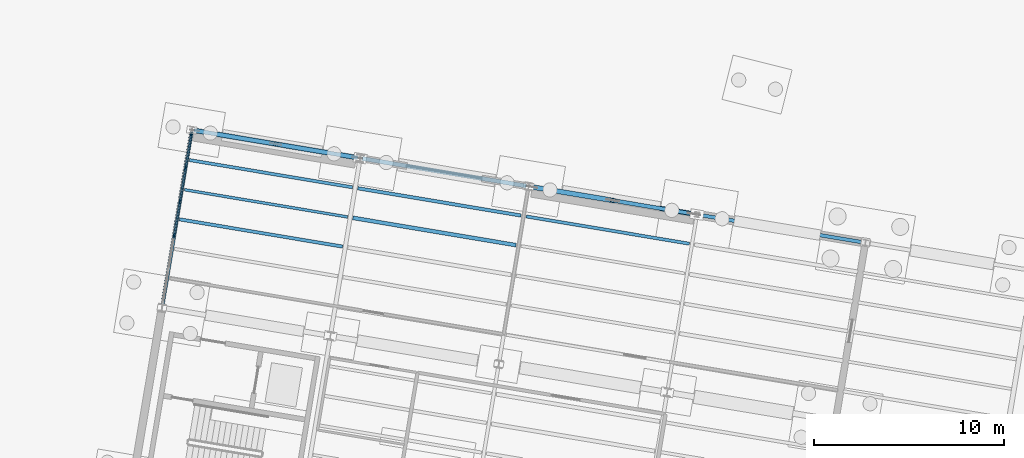
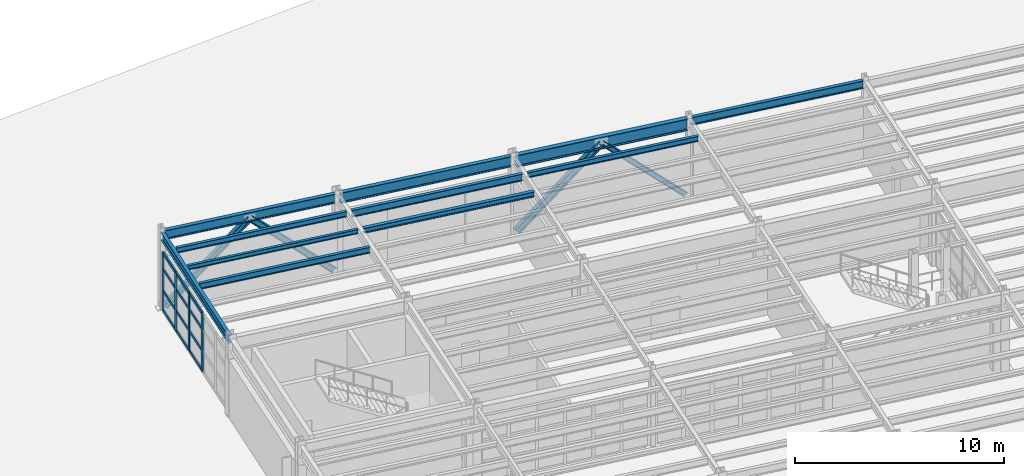
# One storey, part 47 of 108: 20 members, 11 beams, 1 element without a shape of its own.
"""IFC4 building model written with IfcOpenShell, lengths in metres."""

from ifc_helpers import new_model, si_unit, direction, frame, origin, origin_2d, place, context, subcontext, project, spatial, rectangle, i_section, extrude, material, layer, layer_set, material_profile, profile_set, type_object, element, aggregate, save


model = new_model("IFC4")

# Units and contexts
model_context = context("Model", 3, precision=1e-05, world=origin(), true_north=direction((0.0, 1.0)))
body_context = subcontext(model_context, "Body", "Model", "MODEL_VIEW")
ifc_project = project(units=[si_unit("LENGTHUNIT", "METRE"), si_unit("AREAUNIT", "SQUARE_METRE"), si_unit("VOLUMEUNIT", "CUBIC_METRE"), si_unit("PLANEANGLEUNIT", "RADIAN"), si_unit("MASSUNIT", "GRAM", prefix="KILO")], contexts=[model_context])

# Site, building, storey
site_placement = place(None, origin())
site = spatial("IfcSite", under=ifc_project, at=site_placement, CompositionType="ELEMENT")
building_placement = place(site_placement, origin())
building = spatial("IfcBuilding", under=site, at=building_placement, Name="Vireo Bluff Cable Station", CompositionType="ELEMENT")
storey_placement = place(building_placement, origin())
storey = spatial("IfcBuildingStorey", under=building, at=storey_placement, Name="L00", CompositionType="ELEMENT", Elevation=0.0)

# Members
ifc_material_1 = material(Name="Steel ASTM A992 Gr. 50", Category="steel")
ifc_material_profile_1 = material_profile(ifc_material_1, i_section(OverallWidth=0.2041015625, OverallDepth=0.257080078125, WebThickness=0.0087890625, FlangeThickness=0.015625, FilletRadius=0.009033203125, at=origin_2d()), Name="W10X45")
ifc_profile_set_1 = profile_set([ifc_material_profile_1], Name="Steel ASTM A992 Gr. 50")
member_type_1 = type_object("IfcMemberType", Name="BRC-01", PredefinedType="BRACE", material=ifc_profile_set_1)
member_1_placement = place(storey_placement, frame((36.67578125, 95.17919921875, 0.0400390625), z_axis=(-0.713671018406, 0.11942683899, 0.690225258605), x_axis=(-0.165046622801, -0.986285766044, 0.0)))
element("IfcMember", 1, at=member_1_placement, inside=storey, type_object=member_type_1, Name="V4 L00 concentric brace 66R", PredefinedType="BRACE", context=body_context, shape_type="SweptSolid", body=[
    extrude(i_section(OverallWidth=0.2041015625, OverallDepth=0.257080078125, WebThickness=0.0087890625, FlangeThickness=0.015625, FilletRadius=0.009033203125, at=origin_2d()), origin(), (0.0, 0.0, 1.0), 5.997802734375),
])
ifc_material_profile_2 = material_profile(ifc_material_1, i_section(OverallWidth=0.25390625, OverallDepth=0.305908203125, WebThickness=0.0087890625, FlangeThickness=0.0146484375, FilletRadius=0.010986328125, at=origin_2d()), Name="W12X53")
ifc_profile_set_2 = profile_set([ifc_material_profile_2], Name="Steel ASTM A992 Gr. 50")
member_type_2 = type_object("IfcMemberType", Name="BRC-04", PredefinedType="BRACE", material=ifc_profile_set_2)
member_2_placement = place(storey_placement, frame((10.361572265625, 99.582763671875, 0.0400390625), z_axis=(0.713671018406, -0.11942683899, 0.690225258605), x_axis=(0.165046622801, 0.986285766044, 0.0)))
element("IfcMember", 2, at=member_2_placement, inside=storey, type_object=member_type_2, Name="V4 L00 concentric brace 63L", PredefinedType="BRACE", context=body_context, shape_type="SweptSolid", body=[
    extrude(i_section(OverallWidth=0.25390625, OverallDepth=0.305908203125, WebThickness=0.0087890625, FlangeThickness=0.0146484375, FilletRadius=0.010986328125, at=origin_2d()), origin(), (0.0, 0.0, 1.0), 5.997802734375),
])
ifc_material_profile_3 = material_profile(ifc_material_1, i_section(OverallWidth=0.25390625, OverallDepth=0.31005859375, WebThickness=0.009033203125, FlangeThickness=0.016357421875, FilletRadius=0.010986328125, at=origin_2d()), Name="W12X58")
ifc_profile_set_3 = profile_set([ifc_material_profile_3], Name="Steel ASTM A992 Gr. 50")
member_type_3 = type_object("IfcMemberType", Name="BRC-05", PredefinedType="BRACE", material=ifc_profile_set_3)
member_3_placement = place(storey_placement, frame((18.922607421875, 98.150146484375, 0.0400390625), z_axis=(-0.713671018406, 0.11942683899, 0.690225258605), x_axis=(-0.165046622801, -0.986285766044, 0.0)))
element("IfcMember", 3, at=member_3_placement, inside=storey, type_object=member_type_3, Name="V4 L00 concentric brace 64R", PredefinedType="BRACE", context=body_context, shape_type="SweptSolid", body=[
    extrude(i_section(OverallWidth=0.25390625, OverallDepth=0.31005859375, WebThickness=0.009033203125, FlangeThickness=0.016357421875, FilletRadius=0.010986328125, at=origin_2d()), origin(), (0.0, 0.0, 1.0), 5.997802734375),
])
ifc_material_profile_4 = material_profile(ifc_material_1, i_section(OverallWidth=0.25390625, OverallDepth=0.35302734375, WebThickness=0.009521484375, FlangeThickness=0.016357421875, FilletRadius=0.011962890625, at=origin_2d()), Name="W14X61")
ifc_profile_set_4 = profile_set([ifc_material_profile_4], Name="Steel ASTM A992 Gr. 50")
member_type_4 = type_object("IfcMemberType", Name="BRC-06", PredefinedType="BRACE", material=ifc_profile_set_4)
member_4_placement = place(storey_placement, frame((28.11474609375, 96.61181640625, 0.0400390625), z_axis=(0.713671018406, -0.11942683899, 0.690225258605), x_axis=(0.165046622801, 0.986285766044, 0.0)))
element("IfcMember", 4, at=member_4_placement, inside=storey, type_object=member_type_4, Name="V4 L00 concentric brace 65L", PredefinedType="BRACE", context=body_context, shape_type="SweptSolid", body=[
    extrude(i_section(OverallWidth=0.25390625, OverallDepth=0.35302734375, WebThickness=0.009521484375, FlangeThickness=0.016357421875, FilletRadius=0.011962890625, at=origin_2d()), origin(), (0.0, 0.0, 1.0), 5.997802734375),
])

# Curtain wall, members
ifc_material_2 = material(Name="Anodized Aluminium 6063-T6", Category="aluminium")
ifc_layer = layer(ifc_material_2, 0.159912109375, Name="Anodized Aluminium 6063-T6")
ifc_layer_set = layer_set([ifc_layer], Name="Anodized Aluminium 6063-T6")
curtain_wall_type = type_object("IfcCurtainWallType", Name="CW-STICK-1850", PredefinedType="USERDEFINED", material=ifc_layer_set)
curtain_wall_placement = place(storey_placement, origin())
curtain_wall = element("IfcCurtainWall", 5, at=curtain_wall_placement, inside=storey, type_object=curtain_wall_type, Name="V4 L00 west curtain wall CW-083", ObjectType="STICK CURTAIN WALL", PredefinedType="USERDEFINED")
ifc_material_profile_5 = material_profile(ifc_material_2, rectangle(XDim=0.080078125, YDim=0.239990234375, at=origin_2d()), Name="ALU-M-80X240")
ifc_profile_set_5 = profile_set([ifc_material_profile_5], Name="Anodized Aluminium 6063-T6")
member_type_5 = type_object("IfcMemberType", Name="CWM-04", PredefinedType="MULLION", material=ifc_profile_set_5)
member_5_placement = place(storey_placement, frame((9.271240234375, 94.0361328125, 0.0), z_axis=(0.0, 0.0, 1.0), x_axis=(-0.986285605429, 0.165047582605, 0.0)))
member_5 = element("IfcMember", 6, at=member_5_placement, type_object=member_type_5, Name="CW-083 mullion 3", PredefinedType="MULLION", context=body_context, shape_type="SweptSolid", body=[
    extrude(rectangle(XDim=0.080078125, YDim=0.239990234375, at=origin_2d()), origin(), (0.0, 0.0, 1.0), 3.39990234375),
])
member_6_placement = place(storey_placement, frame((9.572265625, 95.835205078125, 0.0), z_axis=(0.0, 0.0, 1.0), x_axis=(-0.986285605429, 0.165047582605, 0.0)))
member_6 = element("IfcMember", 7, at=member_6_placement, type_object=member_type_5, Name="CW-083 mullion 4", PredefinedType="MULLION", context=body_context, shape_type="SweptSolid", body=[
    extrude(rectangle(XDim=0.080078125, YDim=0.239990234375, at=origin_2d()), origin(), (0.0, 0.0, 1.0), 3.39990234375),
])
member_7_placement = place(storey_placement, frame((9.873291015625, 97.634033203125, 0.0), z_axis=(0.0, 0.0, 1.0), x_axis=(-0.986285605429, 0.165047582605, 0.0)))
member_7 = element("IfcMember", 8, at=member_7_placement, type_object=member_type_5, Name="CW-083 mullion 5", PredefinedType="MULLION", context=body_context, shape_type="SweptSolid", body=[
    extrude(rectangle(XDim=0.080078125, YDim=0.239990234375, at=origin_2d()), origin(), (0.0, 0.0, 1.0), 3.39990234375),
])
member_8_placement = place(storey_placement, frame((10.167724609375, 99.3935546875, 0.0), z_axis=(0.0, 0.0, 1.0), x_axis=(-0.986285605429, 0.165047582605, 0.0)))
member_8 = element("IfcMember", 9, at=member_8_placement, type_object=member_type_5, Name="CW-083 mullion 6", PredefinedType="MULLION", context=body_context, shape_type="SweptSolid", body=[
    extrude(rectangle(XDim=0.080078125, YDim=0.239990234375, at=origin_2d()), origin(), (0.0, 0.0, 1.0), 3.39990234375),
])
ifc_material_profile_6 = material_profile(ifc_material_2, rectangle(XDim=0.080078125, YDim=0.175048828125, at=origin_2d()), Name="ALU-T-80X175")
ifc_profile_set_6 = profile_set([ifc_material_profile_6], Name="Anodized Aluminium 6063-T6")
member_type_6 = type_object("IfcMemberType", Name="CWT-04", PredefinedType="USERDEFINED", material=ifc_profile_set_6)
member_9_placement = place(storey_placement, frame((9.27783203125, 94.07568359375, 0.0400390625), z_axis=(0.165057318369, 0.986283976172, 0.0), x_axis=(-0.986283976172, 0.165057318369, 0.0)))
member_9 = element("IfcMember", 10, at=member_9_placement, type_object=member_type_6, Name="CW-083 transom 3.1", ObjectType="TRANSOM", PredefinedType="USERDEFINED", context=body_context, shape_type="SweptSolid", body=[
    extrude(rectangle(XDim=0.080078125, YDim=0.175048828125, at=origin_2d()), origin(), (0.0, 0.0, 1.0), 1.743896484375),
])
member_10_placement = place(storey_placement, frame((9.27783203125, 94.07568359375, 1.18994140625), z_axis=(0.165057318369, 0.986283976172, 0.0), x_axis=(-0.986283976172, 0.165057318369, 0.0)))
member_10 = element("IfcMember", 11, at=member_10_placement, type_object=member_type_6, Name="CW-083 transom 3.2", ObjectType="TRANSOM", PredefinedType="USERDEFINED", context=body_context, shape_type="SweptSolid", body=[
    extrude(rectangle(XDim=0.080078125, YDim=0.175048828125, at=origin_2d()), origin(), (0.0, 0.0, 1.0), 1.743896484375),
])
member_11_placement = place(storey_placement, frame((9.27783203125, 94.07568359375, 2.447998046875), z_axis=(0.165057318369, 0.986283976172, 0.0), x_axis=(-0.986283976172, 0.165057318369, 0.0)))
member_11 = element("IfcMember", 12, at=member_11_placement, type_object=member_type_6, Name="CW-083 transom 3.3", ObjectType="TRANSOM", PredefinedType="USERDEFINED", context=body_context, shape_type="SweptSolid", body=[
    extrude(rectangle(XDim=0.080078125, YDim=0.175048828125, at=origin_2d()), origin(), (0.0, 0.0, 1.0), 1.743896484375),
])
member_12_placement = place(storey_placement, frame((9.27783203125, 94.07568359375, 3.360107421875), z_axis=(0.165057318369, 0.986283976172, 0.0), x_axis=(-0.986283976172, 0.165057318369, 0.0)))
member_12 = element("IfcMember", 13, at=member_12_placement, type_object=member_type_6, Name="CW-083 transom 3.4", ObjectType="TRANSOM", PredefinedType="USERDEFINED", context=body_context, shape_type="SweptSolid", body=[
    extrude(rectangle(XDim=0.080078125, YDim=0.175048828125, at=origin_2d()), origin(), (0.0, 0.0, 1.0), 1.743896484375),
])
member_13_placement = place(storey_placement, frame((9.578857421875, 95.87451171875, 0.0400390625), z_axis=(0.165034530767, 0.986287789468, 0.0), x_axis=(-0.986287789468, 0.165034530767, 0.0)))
member_13 = element("IfcMember", 14, at=member_13_placement, type_object=member_type_6, Name="CW-083 transom 4.1", ObjectType="TRANSOM", PredefinedType="USERDEFINED", context=body_context, shape_type="SweptSolid", body=[
    extrude(rectangle(XDim=0.080078125, YDim=0.175048828125, at=origin_2d()), origin(), (0.0, 0.0, 1.0), 1.744140625),
])
member_14_placement = place(storey_placement, frame((9.578857421875, 95.87451171875, 1.18994140625), z_axis=(0.165034530767, 0.986287789468, 0.0), x_axis=(-0.986287789468, 0.165034530767, 0.0)))
member_14 = element("IfcMember", 15, at=member_14_placement, type_object=member_type_6, Name="CW-083 transom 4.2", ObjectType="TRANSOM", PredefinedType="USERDEFINED", context=body_context, shape_type="SweptSolid", body=[
    extrude(rectangle(XDim=0.080078125, YDim=0.175048828125, at=origin_2d()), origin(), (0.0, 0.0, 1.0), 1.744140625),
])
member_15_placement = place(storey_placement, frame((9.578857421875, 95.87451171875, 2.447998046875), z_axis=(0.165034530767, 0.986287789468, 0.0), x_axis=(-0.986287789468, 0.165034530767, 0.0)))
member_15 = element("IfcMember", 16, at=member_15_placement, type_object=member_type_6, Name="CW-083 transom 4.3", ObjectType="TRANSOM", PredefinedType="USERDEFINED", context=body_context, shape_type="SweptSolid", body=[
    extrude(rectangle(XDim=0.080078125, YDim=0.175048828125, at=origin_2d()), origin(), (0.0, 0.0, 1.0), 1.744140625),
])
member_16_placement = place(storey_placement, frame((9.578857421875, 95.87451171875, 3.360107421875), z_axis=(0.165034530767, 0.986287789468, 0.0), x_axis=(-0.986287789468, 0.165034530767, 0.0)))
member_16 = element("IfcMember", 17, at=member_16_placement, type_object=member_type_6, Name="CW-083 transom 4.4", ObjectType="TRANSOM", PredefinedType="USERDEFINED", context=body_context, shape_type="SweptSolid", body=[
    extrude(rectangle(XDim=0.080078125, YDim=0.175048828125, at=origin_2d()), origin(), (0.0, 0.0, 1.0), 1.744140625),
])
member_17_placement = place(storey_placement, frame((9.8798828125, 97.673583984375, 0.0400390625), z_axis=(0.165049484431, 0.986285287171, 0.0), x_axis=(-0.986285287171, 0.165049484431, 0.0)))
member_17 = element("IfcMember", 18, at=member_17_placement, type_object=member_type_6, Name="CW-083 transom 5.1", ObjectType="TRANSOM", PredefinedType="USERDEFINED", context=body_context, shape_type="SweptSolid", body=[
    extrude(rectangle(XDim=0.080078125, YDim=0.175048828125, at=origin_2d()), origin(), (0.0, 0.0, 1.0), 1.7041015625),
])
member_18_placement = place(storey_placement, frame((9.8798828125, 97.673583984375, 1.18994140625), z_axis=(0.165049484431, 0.986285287171, 0.0), x_axis=(-0.986285287171, 0.165049484431, 0.0)))
member_18 = element("IfcMember", 19, at=member_18_placement, type_object=member_type_6, Name="CW-083 transom 5.2", ObjectType="TRANSOM", PredefinedType="USERDEFINED", context=body_context, shape_type="SweptSolid", body=[
    extrude(rectangle(XDim=0.080078125, YDim=0.175048828125, at=origin_2d()), origin(), (0.0, 0.0, 1.0), 1.7041015625),
])
member_19_placement = place(storey_placement, frame((9.8798828125, 97.673583984375, 2.447998046875), z_axis=(0.165049484431, 0.986285287171, 0.0), x_axis=(-0.986285287171, 0.165049484431, 0.0)))
member_19 = element("IfcMember", 20, at=member_19_placement, type_object=member_type_6, Name="CW-083 transom 5.3", ObjectType="TRANSOM", PredefinedType="USERDEFINED", context=body_context, shape_type="SweptSolid", body=[
    extrude(rectangle(XDim=0.080078125, YDim=0.175048828125, at=origin_2d()), origin(), (0.0, 0.0, 1.0), 1.7041015625),
])
member_20_placement = place(storey_placement, frame((9.8798828125, 97.673583984375, 3.360107421875), z_axis=(0.165049484431, 0.986285287171, 0.0), x_axis=(-0.986285287171, 0.165049484431, 0.0)))
member_20 = element("IfcMember", 21, at=member_20_placement, type_object=member_type_6, Name="CW-083 transom 5.4", ObjectType="TRANSOM", PredefinedType="USERDEFINED", context=body_context, shape_type="SweptSolid", body=[
    extrude(rectangle(XDim=0.080078125, YDim=0.175048828125, at=origin_2d()), origin(), (0.0, 0.0, 1.0), 1.7041015625),
])
aggregate(curtain_wall, [member_5, member_6, member_7, member_8, member_9, member_10, member_11, member_12, member_13, member_14, member_15, member_16, member_17, member_18, member_19, member_20])

# Beams
ifc_material_profile_7 = material_profile(ifc_material_1, i_section(OverallWidth=0.14599609375, OverallDepth=0.259033203125, WebThickness=0.006103515625, FlangeThickness=0.009033203125, FilletRadius=0.009033203125, at=origin_2d()), Name="W10X22")
ifc_profile_set_7 = profile_set([ifc_material_profile_7], Name="Steel ASTM A992 Gr. 50")
beam_type_1 = type_object("IfcBeamType", Name="JST-W10X22", PredefinedType="JOIST", material=ifc_profile_set_7)
beam_1_placement = place(storey_placement, frame((9.8193359375, 96.462890625, 4.410400390625), z_axis=(0.98628550168, -0.165048202583, 0.0), x_axis=(0.165048202583, 0.98628550168, 0.0)))
element("IfcBeam", 22, at=beam_1_placement, inside=storey, type_object=beam_type_1, Name="V4 L00 composite joist 812", PredefinedType="JOIST", context=body_context, shape_type="SweptSolid", body=[
    extrude(i_section(OverallWidth=0.14599609375, OverallDepth=0.259033203125, WebThickness=0.006103515625, FlangeThickness=0.009033203125, FilletRadius=0.009033203125, at=origin_2d()), origin(), (0.0, 0.0, 1.0), 8.719970703125),
])
ifc_material_profile_8 = material_profile(ifc_material_1, i_section(OverallWidth=0.1650390625, OverallDepth=0.31005859375, WebThickness=0.005859375, FlangeThickness=0.009765625, FilletRadius=0.010009765625, at=origin_2d()), Name="W12X26")
ifc_profile_set_8 = profile_set([ifc_material_profile_8], Name="Steel ASTM A992 Gr. 50")
beam_type_2 = type_object("IfcBeamType", Name="JST-W12X26", PredefinedType="JOIST", material=ifc_profile_set_8)
for number, where, z_axis, x_axis, name in (
    (23, (10.08056640625, 98.0244140625, 4.385009765625), (0.98628550168, -0.165048202583, 0.0), (0.165048202583, 0.98628550168, 0.0), "V4 L00 composite joist 813"),
    (24, (27.833740234375, 95.053466796875, 4.385009765625), (0.98628550168, -0.165048202583, 0.0), (0.165048202583, 0.98628550168, 0.0), "V4 L00 composite joist 843"),
):
    element("IfcBeam", number, at=place(storey_placement, frame(where, z_axis=z_axis, x_axis=x_axis)), inside=storey, type_object=beam_type_2, Name=name, PredefinedType="JOIST", context=body_context, shape_type="SweptSolid", body=[
        extrude(i_section(OverallWidth=0.1650390625, OverallDepth=0.31005859375, WebThickness=0.005859375, FlangeThickness=0.009765625, FilletRadius=0.010009765625, at=origin_2d()), origin(), (0.0, 0.0, 1.0), 8.719970703125),
    ])
ifc_material_profile_9 = material_profile(ifc_material_1, i_section(OverallWidth=0.202880859375, OverallDepth=0.302978515625, WebThickness=0.007568359375, FlangeThickness=0.01318359375, FilletRadius=0.010009765625, at=origin_2d()), Name="W12X40")
ifc_profile_set_9 = profile_set([ifc_material_profile_9], Name="Steel ASTM A992 Gr. 50")
beam_type_3 = type_object("IfcBeamType", Name="JST-W12X40", PredefinedType="JOIST", material=ifc_profile_set_9)
beam_2_placement = place(storey_placement, frame((18.69580078125, 94.977294921875, 4.388427734375), z_axis=(0.986286264339, -0.165043645063, 0.0), x_axis=(0.165043645063, 0.986286264339, 0.0)))
element("IfcBeam", 25, at=beam_2_placement, inside=storey, type_object=beam_type_3, Name="V4 L00 composite joist 827", PredefinedType="JOIST", context=body_context, shape_type="SweptSolid", body=[
    extrude(i_section(OverallWidth=0.202880859375, OverallDepth=0.302978515625, WebThickness=0.007568359375, FlangeThickness=0.01318359375, FilletRadius=0.010009765625, at=origin_2d()), origin(), (0.0, 0.0, 1.0), 8.72021484375),
])
ifc_material_profile_10 = material_profile(ifc_material_1, i_section(OverallWidth=0.1708984375, OverallDepth=0.35107421875, WebThickness=0.0068359375, FlangeThickness=0.009765625, FilletRadius=0.010009765625, at=origin_2d()), Name="W14X30")
ifc_profile_set_10 = profile_set([ifc_material_profile_10], Name="Steel ASTM A992 Gr. 50")
beam_type_4 = type_object("IfcBeamType", Name="JST-W14X30", PredefinedType="JOIST", material=ifc_profile_set_10)
beam_3_placement = place(storey_placement, frame((9.557861328125, 94.901123046875, 4.364501953125), z_axis=(0.986286264339, -0.165043645063, 0.0), x_axis=(0.165043645063, 0.986286264339, 0.0)))
element("IfcBeam", 26, at=beam_3_placement, inside=storey, type_object=beam_type_4, Name="V4 L00 composite joist 811", PredefinedType="JOIST", context=body_context, shape_type="SweptSolid", body=[
    extrude(i_section(OverallWidth=0.1708984375, OverallDepth=0.35107421875, WebThickness=0.0068359375, FlangeThickness=0.009765625, FilletRadius=0.010009765625, at=origin_2d()), origin(), (0.0, 0.0, 1.0), 8.72021484375),
])
ifc_material_profile_11 = material_profile(ifc_material_1, i_section(OverallWidth=0.177978515625, OverallDepth=0.404052734375, WebThickness=0.007568359375, FlangeThickness=0.010986328125, FilletRadius=0.010009765625, at=origin_2d()), Name="W16X36")
ifc_profile_set_11 = profile_set([ifc_material_profile_11], Name="Steel ASTM A992 Gr. 50")
beam_type_5 = type_object("IfcBeamType", Name="JST-W16X36", PredefinedType="JOIST", material=ifc_profile_set_11)
beam_4_placement = place(storey_placement, frame((18.957275390625, 96.5390625, 4.337890625), z_axis=(0.98628550168, -0.165048202583, 0.0), x_axis=(0.165048202583, 0.98628550168, 0.0)))
element("IfcBeam", 27, at=beam_4_placement, inside=storey, type_object=beam_type_5, Name="V4 L00 composite joist 828", PredefinedType="JOIST", context=body_context, shape_type="SweptSolid", body=[
    extrude(i_section(OverallWidth=0.177978515625, OverallDepth=0.404052734375, WebThickness=0.007568359375, FlangeThickness=0.010986328125, FilletRadius=0.010009765625, at=origin_2d()), origin(), (0.0, 0.0, 1.0), 8.719970703125),
])
ifc_material_profile_12 = material_profile(ifc_material_1, i_section(OverallWidth=0.19091796875, OverallDepth=0.45703125, WebThickness=0.009033203125, FlangeThickness=0.014404296875, FilletRadius=0.011962890625, at=origin_2d()), Name="W18X50")
ifc_profile_set_12 = profile_set([ifc_material_profile_12], Name="Steel ASTM A992 Gr. 50")
beam_type_6 = type_object("IfcBeamType", Name="SPN-W18X50", PredefinedType="SPANDREL", material=ifc_profile_set_12)
beam_5_placement = place(storey_placement, frame((36.951904296875, 95.133056640625, 4.3115234375), z_axis=(0.986285998922, -0.165045231163, 0.0), x_axis=(0.165045231163, 0.986285998922, 0.0)))
element("IfcBeam", 28, at=beam_5_placement, inside=storey, type_object=beam_type_6, Name="V4 L00 spandrel 784", PredefinedType="SPANDREL", context=body_context, shape_type="SweptSolid", body=[
    extrude(i_section(OverallWidth=0.19091796875, OverallDepth=0.45703125, WebThickness=0.009033203125, FlangeThickness=0.014404296875, FilletRadius=0.011962890625, at=origin_2d()), origin(), (0.0, 0.0, 1.0), 8.760009765625),
])
beam_6_placement = place(storey_placement, frame((8.65576171875, 90.357666015625, 4.3115234375), z_axis=(0.165044536891, 0.986286115102, 0.0), x_axis=(-0.986286115102, 0.165044536891, 0.0)))
element("IfcBeam", 29, at=beam_6_placement, inside=storey, type_object=beam_type_6, Name="V4 L00 spandrel 788", PredefinedType="SPANDREL", context=body_context, shape_type="SweptSolid", body=[
    extrude(i_section(OverallWidth=0.19091796875, OverallDepth=0.45703125, WebThickness=0.009033203125, FlangeThickness=0.014404296875, FilletRadius=0.011962890625, at=origin_2d()), origin(), (0.0, 0.0, 1.0), 9.260009765625),
])
ifc_material_profile_13 = material_profile(ifc_material_1, i_section(OverallWidth=0.2099609375, OverallDepth=0.535888671875, WebThickness=0.010986328125, FlangeThickness=0.017333984375, FilletRadius=0.012939453125, at=origin_2d()), Name="W21X68")
ifc_profile_set_13 = profile_set([ifc_material_profile_13], Name="Steel ASTM A992 Gr. 50")
beam_type_7 = type_object("IfcBeamType", Name="SPN-W21X68", PredefinedType="SPANDREL", material=ifc_profile_set_13)
beam_7_placement = place(storey_placement, frame((10.322265625, 99.58935546875, 4.27197265625), z_axis=(0.986285998922, -0.165045231163, 0.0), x_axis=(0.165045231163, 0.986285998922, 0.0)))
element("IfcBeam", 30, at=beam_7_placement, inside=storey, type_object=beam_type_7, Name="V4 L00 spandrel 781", PredefinedType="SPANDREL", context=body_context, shape_type="SweptSolid", body=[
    extrude(i_section(OverallWidth=0.2099609375, OverallDepth=0.535888671875, WebThickness=0.010986328125, FlangeThickness=0.017333984375, FilletRadius=0.012939453125, at=origin_2d()), origin(), (0.0, 0.0, 1.0), 8.760009765625),
])
ifc_material_profile_14 = material_profile(ifc_material_1, i_section(OverallWidth=0.22802734375, OverallDepth=0.60693359375, WebThickness=0.01123046875, FlangeThickness=0.017333984375, FilletRadius=0.012939453125, at=origin_2d()), Name="W24X76")
ifc_profile_set_14 = profile_set([ifc_material_profile_14], Name="Steel ASTM A992 Gr. 50")
beam_type_8 = type_object("IfcBeamType", Name="SPN-W24X76", PredefinedType="SPANDREL", material=ifc_profile_set_14)
beam_8_placement = place(storey_placement, frame((19.19873046875, 98.10400390625, 4.236572265625), z_axis=(0.986285998922, -0.165045231163, 0.0), x_axis=(0.165045231163, 0.986285998922, 0.0)))
element("IfcBeam", 31, at=beam_8_placement, inside=storey, type_object=beam_type_8, Name="V4 L00 spandrel 782", PredefinedType="SPANDREL", context=body_context, shape_type="SweptSolid", body=[
    extrude(i_section(OverallWidth=0.22802734375, OverallDepth=0.60693359375, WebThickness=0.01123046875, FlangeThickness=0.017333984375, FilletRadius=0.012939453125, at=origin_2d()), origin(), (0.0, 0.0, 1.0), 8.760009765625),
])
ifc_material_profile_15 = material_profile(ifc_material_1, i_section(OverallWidth=0.257080078125, OverallDepth=0.693115234375, WebThickness=0.014404296875, FlangeThickness=0.023681640625, FilletRadius=0.014892578125, at=origin_2d()), Name="W27X114")
ifc_profile_set_15 = profile_set([ifc_material_profile_15], Name="Steel ASTM A992 Gr. 50")
beam_type_9 = type_object("IfcBeamType", Name="SPN-W27X114", PredefinedType="SPANDREL", material=ifc_profile_set_15)
beam_9_placement = place(storey_placement, frame((28.075439453125, 96.618408203125, 4.193603515625), z_axis=(0.986285998922, -0.165045231163, 0.0), x_axis=(0.165045231163, 0.986285998922, 0.0)))
element("IfcBeam", 32, at=beam_9_placement, inside=storey, type_object=beam_type_9, Name="V4 L00 spandrel 783", PredefinedType="SPANDREL", context=body_context, shape_type="SweptSolid", body=[
    extrude(i_section(OverallWidth=0.257080078125, OverallDepth=0.693115234375, WebThickness=0.014404296875, FlangeThickness=0.023681640625, FilletRadius=0.014892578125, at=origin_2d()), origin(), (0.0, 0.0, 1.0), 8.760009765625),
])

save(model, "model.ifc")
